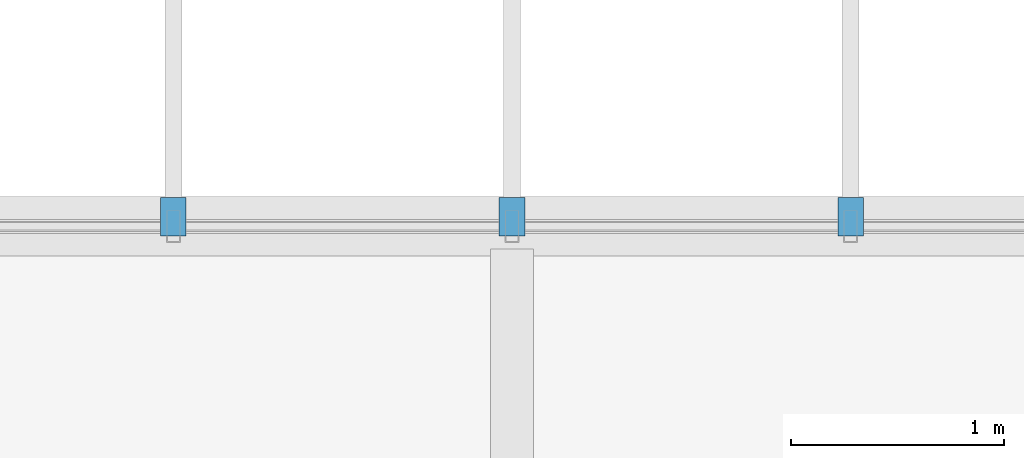
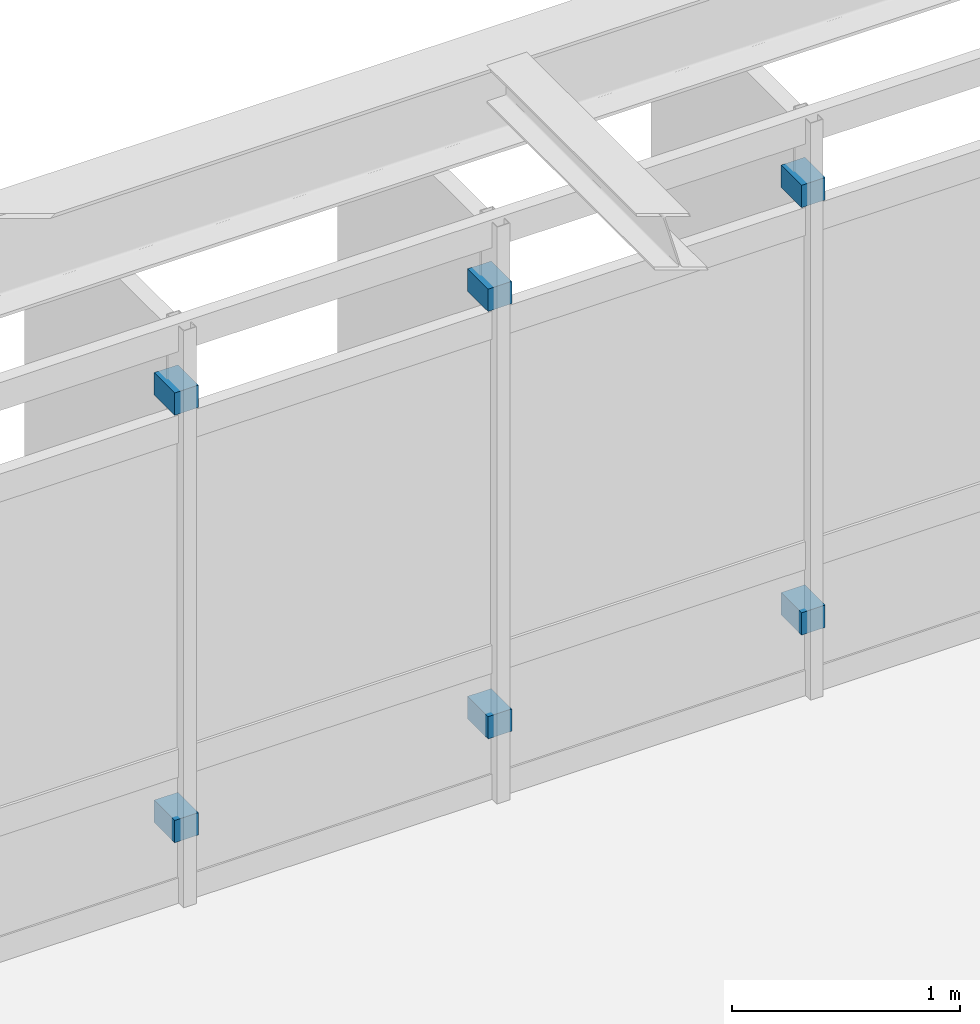
# One storey, part 38 of 45: 6 discrete accessories.
"""IFC4 building model written with IfcOpenShell, lengths in metres."""

from ifc_helpers import new_model, si_unit, direction, frame, origin, origin_2d, place, context, subcontext, project, spatial, rectangle, extrude, material, layer, layer_set, type_object, element, save


model = new_model("IFC4")

# Units and contexts
model_context = context("Model", 3, precision=1e-05, world=origin(), true_north=direction((0.0, 1.0)))
body_context = subcontext(model_context, "Body", "Model", "MODEL_VIEW")
ifc_project = project(units=[si_unit("LENGTHUNIT", "METRE"), si_unit("AREAUNIT", "SQUARE_METRE"), si_unit("VOLUMEUNIT", "CUBIC_METRE"), si_unit("PLANEANGLEUNIT", "RADIAN"), si_unit("MASSUNIT", "GRAM", prefix="KILO")], contexts=[model_context])

# Site, building, storey
site_placement = place(None, origin())
site = spatial("IfcSite", under=ifc_project, at=site_placement, CompositionType="ELEMENT")
building_placement = place(site_placement, origin())
building = spatial("IfcBuilding", under=site, at=building_placement, Name="Zulena Civic Courthouse", CompositionType="ELEMENT")
storey_placement = place(building_placement, frame((0.0, 0.0, 29.39990234375)))
storey = spatial("IfcBuildingStorey", under=building, at=storey_placement, Name="L06", CompositionType="ELEMENT", Elevation=29.39990234375)

# Discrete accessories
ifc_material = material(Name="Gold anodised architectural aluminium AA6063-T6", Category="aluminium")
ifc_layer = layer(ifc_material, 0.1201171875)
ifc_layer_set = layer_set([ifc_layer], Name="Gold anodised architectural aluminium AA6063-T6")
discrete_accessory_type = type_object("IfcDiscreteAccessoryType", Name="FinOutriggerBracket", PredefinedType="BRACKET", material=ifc_layer_set)
for number, where, z_axis, x_axis, name in (
    (1, (61.612060546875, 22.844970703125, 0.340087890625), (0.0, 0.0, 1.0), (0.0, 1.0, 0.0), "brk:V2:L06:1:6:1:29.80"),
    (2, (61.612060546875, 22.844970703125, 2.630126953125), (0.0, 0.0, 1.0), (0.0, 1.0, 0.0), "brk:V2:L06:1:6:1:32.09"),
    (3, (63.199951171875, 22.844970703125, 0.340087890625), (0.0, 0.0, 1.0), (0.0, 1.0, 0.0), "brk:V2:L06:1:6:2:29.80"),
    (4, (63.199951171875, 22.844970703125, 2.630126953125), (0.0, 0.0, 1.0), (0.0, 1.0, 0.0), "brk:V2:L06:1:6:2:32.09"),
    (5, (64.7880859375, 22.844970703125, 0.340087890625), (0.0, 0.0, 1.0), (0.0, 1.0, 0.0), "brk:V2:L06:1:6:3:29.80"),
    (6, (64.7880859375, 22.844970703125, 2.630126953125), (0.0, 0.0, 1.0), (0.0, 1.0, 0.0), "brk:V2:L06:1:6:3:32.09"),
):
    element("IfcDiscreteAccessory", number, at=place(storey_placement, frame(where, z_axis=z_axis, x_axis=x_axis)), inside=storey, type_object=discrete_accessory_type, Name=name, PredefinedType="BRACKET", context=body_context, shape_type="SweptSolid", body=[
        extrude(rectangle(XDim=0.179931640625, YDim=0.1201171875, at=origin_2d()), origin(), (0.0, 0.0, 1.0), 0.1201171875),
    ])

save(model, "model.ifc")
